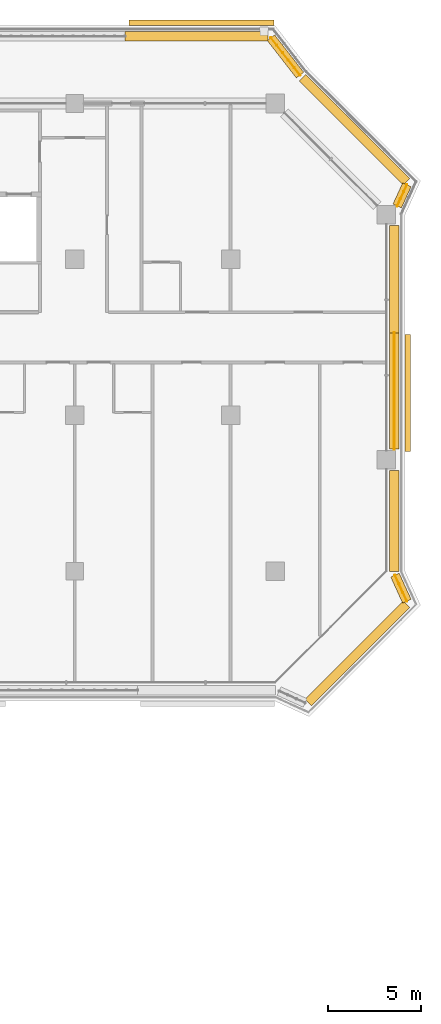
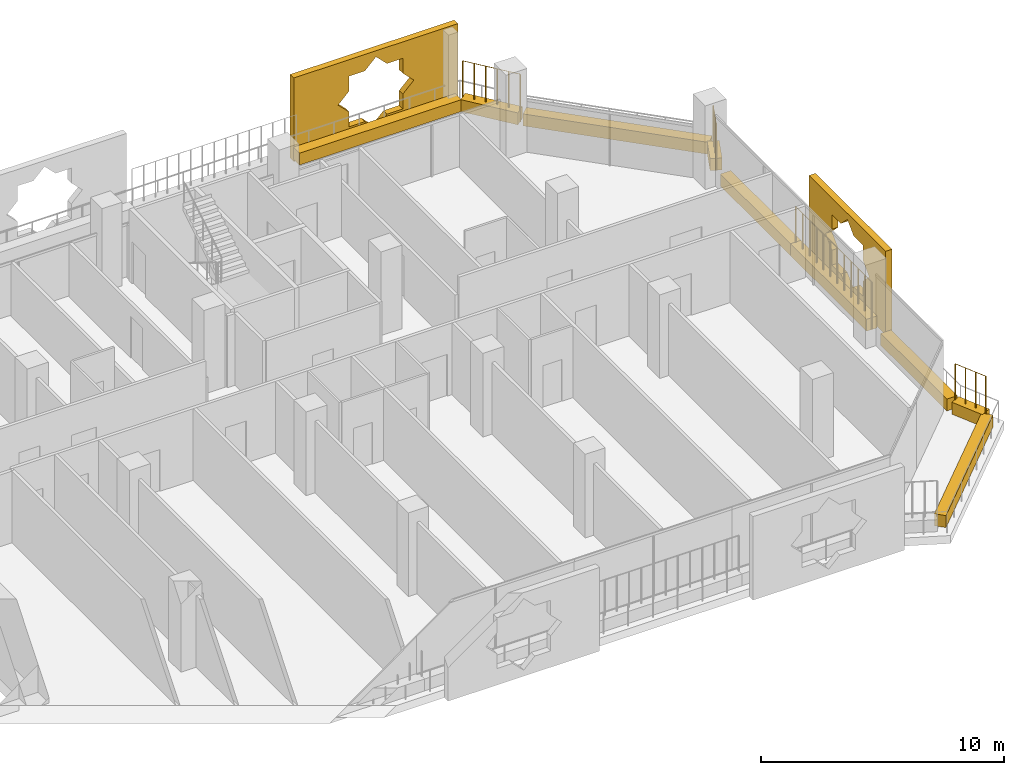
# One storey, part 22 of 22: 11 coverings, 4 railings.
"""IFC4 building model written with IfcOpenShell, lengths in metres."""

from ifc_helpers import new_model, si_unit, direction, frame, origin, origin_2d, place, context, subcontext, project, spatial, polyline, rectangle, circle, outline, extrude, material, material_profile, profile_set, type_object, element, save


model = new_model("IFC4")

# Units and contexts
model_context = context("Model", 3, precision=1e-05, world=origin(), true_north=direction((0.0, 1.0)))
body_context = subcontext(model_context, "Body", "Model", "MODEL_VIEW")
ifc_project = project(units=[si_unit("LENGTHUNIT", "METRE"), si_unit("AREAUNIT", "SQUARE_METRE"), si_unit("VOLUMEUNIT", "CUBIC_METRE"), si_unit("PLANEANGLEUNIT", "RADIAN"), si_unit("MASSUNIT", "GRAM", prefix="KILO")], contexts=[model_context])

# Site, building, storey
site_placement = place(None, origin())
site = spatial("IfcSite", under=ifc_project, at=site_placement, CompositionType="ELEMENT")
building_placement = place(site_placement, origin())
building = spatial("IfcBuilding", under=site, at=building_placement, Name="Kawkab Arch Medical Tower", CompositionType="ELEMENT")
storey_placement = place(building_placement, frame((0.0, 0.0, 196.199951171875)))
storey = spatial("IfcBuildingStorey", under=building, at=storey_placement, Name="L45", CompositionType="ELEMENT", Elevation=196.199951171875)

# Coverings
ifc_material_1 = material(Name="Bronze anodised aluminium mashrabiya panel, eight-point star pattern", Category="aluminium")
ifc_material_profile_1 = material_profile(ifc_material_1, outline(polyline([(-3.14990234375, -2.10009765625), (3.14990234375, -2.10009765625), (3.14990234375, 2.10009765625), (-3.14990234375, 2.10009765625), (-3.14990234375, -2.10009765625)]), holes=[polyline([(1.800048828125, 0.0), (1.272705078125, 0.527099609375), (1.272705078125, 1.272705078125), (0.527099609375, 1.272705078125), (0.0, 1.800048828125), (-0.527099609375, 1.272705078125), (-1.272705078125, 1.272705078125), (-1.272705078125, 0.527099609375), (-1.800048828125, 0.0), (-1.272705078125, -0.527099609375), (-1.272705078125, -1.272705078125), (-0.527099609375, -1.272705078125), (0.0, -1.800048828125), (0.527099609375, -1.272705078125), (1.272705078125, -1.272705078125), (1.272705078125, -0.527099609375), (1.800048828125, 0.0)])]), Name="Mashrabiya panel 6300x4200")
ifc_profile_set_1 = profile_set([ifc_material_profile_1], Name="Bronze anodised aluminium mashrabiya panel, eight-point star pattern")
covering_type_1 = type_object("IfcCoveringType", Name="Mashrabiya panel 6300 x 4200", PredefinedType="USERDEFINED", material=ifc_profile_set_1)
covering_1_placement = place(storey_placement, frame((68.199951171875, -15.60009765625, 1.699951171875), z_axis=(1.0, 0.0, 0.0), x_axis=(0.0, 1.0, 0.0)))
element("IfcCovering", 1, at=covering_1_placement, inside=storey, type_object=covering_type_1, Name="Mashrabiya panel L45.LOG-01-01.9", ObjectType="SCREEN", PredefinedType="USERDEFINED", context=body_context, shape_type="SweptSolid", body=[
    extrude(outline(polyline([(-3.14990234375, -2.10009765625), (3.14990234375, -2.10009765625), (3.14990234375, 2.10009765625), (-3.14990234375, 2.10009765625), (-3.14990234375, -2.10009765625)]), holes=[polyline([(1.800048828125, 0.0), (1.272705078125, 0.527099609375), (1.272705078125, 1.272705078125), (0.527099609375, 1.272705078125), (0.0, 1.800048828125), (-0.527099609375, 1.272705078125), (-1.272705078125, 1.272705078125), (-1.272705078125, 0.527099609375), (-1.800048828125, 0.0), (-1.272705078125, -0.527099609375), (-1.272705078125, -1.272705078125), (-0.527099609375, -1.272705078125), (0.0, -1.800048828125), (0.527099609375, -1.272705078125), (1.272705078125, -1.272705078125), (1.272705078125, -0.527099609375), (1.800048828125, 0.0)])]), origin(), (0.0, 0.0, 1.0), 0.300048828125),
])
ifc_material_2 = material(Name="Bronze anodised aluminium mashrabiya panel, eight-point star pattern", Category="aluminium")
ifc_material_profile_2 = material_profile(ifc_material_2, outline(polyline([(-3.89990234375, -2.10009765625), (3.89990234375, -2.10009765625), (3.89990234375, 2.10009765625), (-3.89990234375, 2.10009765625), (-3.89990234375, -2.10009765625)]), holes=[polyline([(1.800048828125, 0.0), (1.272705078125, 0.527099609375), (1.272705078125, 1.272705078125), (0.527099609375, 1.272705078125), (0.0, 1.800048828125), (-0.527099609375, 1.272705078125), (-1.272705078125, 1.272705078125), (-1.272705078125, 0.527099609375), (-1.800048828125, 0.0), (-1.272705078125, -0.527099609375), (-1.272705078125, -1.272705078125), (-0.527099609375, -1.272705078125), (0.0, -1.800048828125), (0.527099609375, -1.272705078125), (1.272705078125, -1.272705078125), (1.272705078125, -0.527099609375), (1.800048828125, 0.0)])]), Name="Mashrabiya panel 7800x4200")
ifc_profile_set_2 = profile_set([ifc_material_profile_2], Name="Bronze anodised aluminium mashrabiya panel, eight-point star pattern")
covering_type_2 = type_object("IfcCoveringType", Name="Mashrabiya panel 7800 x 4200", PredefinedType="USERDEFINED", material=ifc_profile_set_2)
covering_2_placement = place(storey_placement, frame((57.23291015625, 4.199951171875, 1.699951171875), z_axis=(0.0, 1.0, 0.0), x_axis=(-1.0, 0.0, 0.0)))
element("IfcCovering", 2, at=covering_2_placement, inside=storey, type_object=covering_type_2, Name="Mashrabiya panel L45.LOG-01-01.8", ObjectType="SCREEN", PredefinedType="USERDEFINED", context=body_context, shape_type="SweptSolid", body=[
    extrude(outline(polyline([(-3.89990234375, -2.10009765625), (3.89990234375, -2.10009765625), (3.89990234375, 2.10009765625), (-3.89990234375, 2.10009765625), (-3.89990234375, -2.10009765625)]), holes=[polyline([(1.800048828125, 0.0), (1.272705078125, 0.527099609375), (1.272705078125, 1.272705078125), (0.527099609375, 1.272705078125), (0.0, 1.800048828125), (-0.527099609375, 1.272705078125), (-1.272705078125, 1.272705078125), (-1.272705078125, 0.527099609375), (-1.800048828125, 0.0), (-1.272705078125, -0.527099609375), (-1.272705078125, -1.272705078125), (-0.527099609375, -1.272705078125), (0.0, -1.800048828125), (0.527099609375, -1.272705078125), (1.272705078125, -1.272705078125), (1.272705078125, -0.527099609375), (1.800048828125, 0.0)])]), origin(), (0.0, 0.0, 1.0), 0.300048828125),
])
ifc_material_3 = material(Name="Planting soil in a precast trough", Category="concrete")
ifc_material_profile_3 = material_profile(ifc_material_3, rectangle(XDim=0.5, YDim=0.60009765625, at=origin_2d()), Name="Trough 500x600")
ifc_profile_set_3 = profile_set([ifc_material_profile_3], Name="Planting soil in a precast trough")
covering_type_3 = type_object("IfcCoveringType", Name="Planter trough 500 x 600", PredefinedType="USERDEFINED", material=ifc_profile_set_3)
covering_3_placement = place(storey_placement, frame((53.112060546875, 3.6201171875, 0.300048828125), z_axis=(1.0, 0.0, 0.0), x_axis=(0.0, 1.0, 0.0)))
element("IfcCovering", 3, at=covering_3_placement, inside=storey, type_object=covering_type_3, Name="Planter L45.LOG-01-01.24", ObjectType="PLANTER", PredefinedType="USERDEFINED", context=body_context, shape_type="SweptSolid", body=[
    extrude(rectangle(XDim=0.5, YDim=0.60009765625, at=origin_2d()), origin(), (0.0, 0.0, 1.0), 7.703857421875),
])
covering_4_placement = place(storey_placement, frame((60.97802734375, 3.541015625, 0.300048828125), z_axis=(0.61404021143, -0.789274742246, 0.0), x_axis=(0.789274742246, 0.61404021143, 0.0)))
element("IfcCovering", 4, at=covering_4_placement, inside=storey, type_object=covering_type_3, Name="Planter L45.LOG-01-01.25", ObjectType="PLANTER", PredefinedType="USERDEFINED", context=body_context, shape_type="SweptSolid", body=[
    extrude(rectangle(XDim=0.5, YDim=0.60009765625, at=origin_2d()), origin(), (0.0, 0.0, 1.0), 2.54541015625),
])
covering_5_placement = place(storey_placement, frame((62.673095703125, 1.383056640625, 0.300048828125), z_axis=(0.707091367247, -0.70712219479, 0.0), x_axis=(0.70712219479, 0.707091367247, 0.0)))
element("IfcCovering", 5, at=covering_5_placement, inside=storey, type_object=covering_type_3, Name="Planter L45.LOG-01-01.26", ObjectType="PLANTER", PredefinedType="USERDEFINED", context=body_context, shape_type="SweptSolid", body=[
    extrude(rectangle(XDim=0.5, YDim=0.60009765625, at=origin_2d()), origin(), (0.0, 0.0, 1.0), 7.919677734375),
])
covering_6_placement = place(storey_placement, frame((68.302001953125, -4.37890625, 0.300048828125), z_axis=(-0.415089762627, -0.909780461959, 0.0), x_axis=(0.909780461959, -0.415089762627, 0.0)))
element("IfcCovering", 6, at=covering_6_placement, inside=storey, type_object=covering_type_3, Name="Planter L45.LOG-01-01.27", ObjectType="PLANTER", PredefinedType="USERDEFINED", context=body_context, shape_type="SweptSolid", body=[
    extrude(rectangle(XDim=0.5, YDim=0.60009765625, at=origin_2d()), origin(), (0.0, 0.0, 1.0), 1.257568359375),
])
covering_7_placement = place(storey_placement, frame((67.6201171875, -6.580078125, 0.300048828125), z_axis=(0.0, -1.0, 0.0), x_axis=(1.0, 0.0, 0.0)))
element("IfcCovering", 7, at=covering_7_placement, inside=storey, type_object=covering_type_3, Name="Planter L45.LOG-01-01.28", ObjectType="PLANTER", PredefinedType="USERDEFINED", context=body_context, shape_type="SweptSolid", body=[
    extrude(rectangle(XDim=0.5, YDim=0.60009765625, at=origin_2d()), origin(), (0.0, 0.0, 1.0), 5.77783203125),
])
covering_8_placement = place(storey_placement, frame((67.6201171875, -12.35791015625, 0.300048828125), z_axis=(0.0, -1.0, 0.0), x_axis=(1.0, 0.0, 0.0)))
element("IfcCovering", 8, at=covering_8_placement, inside=storey, type_object=covering_type_3, Name="Planter L45.LOG-01-01.29", ObjectType="PLANTER", PredefinedType="USERDEFINED", context=body_context, shape_type="SweptSolid", body=[
    extrude(rectangle(XDim=0.5, YDim=0.60009765625, at=origin_2d()), origin(), (0.0, 0.0, 1.0), 6.26220703125),
])
covering_9_placement = place(storey_placement, frame((67.6201171875, -19.780029296875, 0.300048828125), z_axis=(0.0, -1.0, 0.0), x_axis=(1.0, 0.0, 0.0)))
element("IfcCovering", 9, at=covering_9_placement, inside=storey, type_object=covering_type_3, Name="Planter L45.LOG-01-01.30", ObjectType="PLANTER", PredefinedType="USERDEFINED", context=body_context, shape_type="SweptSolid", body=[
    extrude(rectangle(XDim=0.5, YDim=0.60009765625, at=origin_2d()), origin(), (0.0, 0.0, 1.0), 5.446044921875),
])
covering_10_placement = place(storey_placement, frame((67.660888671875, -25.4169921875, 0.300048828125), z_axis=(0.415363486165, -0.909655525109, 0.0), x_axis=(0.909655525109, 0.415363486165, 0.0)))
element("IfcCovering", 10, at=covering_10_placement, inside=storey, type_object=covering_type_3, Name="Planter L45.LOG-01-01.31", ObjectType="PLANTER", PredefinedType="USERDEFINED", context=body_context, shape_type="SweptSolid", body=[
    extrude(rectangle(XDim=0.5, YDim=0.60009765625, at=origin_2d()), origin(), (0.0, 0.0, 1.0), 1.54345703125),
])
covering_11_placement = place(storey_placement, frame((68.27294921875, -26.98291015625, 0.300048828125), z_axis=(-0.707106781187, -0.707106781187, 0.0), x_axis=(0.707106781187, -0.707106781187, 0.0)))
element("IfcCovering", 11, at=covering_11_placement, inside=storey, type_object=covering_type_3, Name="Planter L45.LOG-01-01.32", ObjectType="PLANTER", PredefinedType="USERDEFINED", context=body_context, shape_type="SweptSolid", body=[
    extrude(rectangle(XDim=0.5, YDim=0.60009765625, at=origin_2d()), origin(), (0.0, 0.0, 1.0), 7.481201171875),
])

# Railings
ifc_material_4 = material(Name="Bronze anodised aluminium trellis for climbing plants", Category="aluminium")
railing_type = type_object("IfcRailingType", Name="Planting trellis 2400", PredefinedType="USERDEFINED", material=ifc_material_4)
railing_1_placement = place(storey_placement, frame((60.97802734375, 3.541015625, 0.0)))
element("IfcRailing", 12, at=railing_1_placement, inside=storey, type_object=railing_type, Name="Planting trellis L45.LOG-01-01.25", ObjectType="TRELLIS", PredefinedType="USERDEFINED", context=body_context, shape_type="SweptSolid", body=[
    extrude(circle(Radius=0.01513671875, at=origin_2d()), frame((0.0, 0.0, 2.384765625), z_axis=(0.61404021143, -0.789274742246, 0.0), x_axis=(0.789274742246, 0.61404021143, 0.0)), (0.0, 0.0, 1.0), 2.54541015625),
    extrude(circle(Radius=0.030029296875, at=origin_2d()), origin(), (0.0, 0.0, 1.0), 2.369873046875),
    extrude(circle(Radius=0.030029296875, at=origin_2d()), frame((0.3125, -0.40185546875, 0.0)), (0.0, 0.0, 1.0), 2.369873046875),
    extrude(circle(Radius=0.030029296875, at=origin_2d()), frame((0.625244140625, -0.8037109375, 0.0)), (0.0, 0.0, 1.0), 2.369873046875),
    extrude(circle(Radius=0.030029296875, at=origin_2d()), frame((0.937744140625, -1.205322265625, 0.0)), (0.0, 0.0, 1.0), 2.369873046875),
    extrude(circle(Radius=0.030029296875, at=origin_2d()), frame((1.25048828125, -1.607177734375, 0.0)), (0.0, 0.0, 1.0), 2.369873046875),
    extrude(circle(Radius=0.030029296875, at=origin_2d()), frame((1.56298828125, -2.009033203125, 0.0)), (0.0, 0.0, 1.0), 2.369873046875),
])
railing_2_placement = place(storey_placement, frame((68.302001953125, -4.37890625, 0.0)))
element("IfcRailing", 13, at=railing_2_placement, inside=storey, type_object=railing_type, Name="Planting trellis L45.LOG-01-01.27", ObjectType="TRELLIS", PredefinedType="USERDEFINED", context=body_context, shape_type="SweptSolid", body=[
    extrude(circle(Radius=0.01513671875, at=origin_2d()), frame((0.0, 0.0, 2.384765625), z_axis=(-0.415089762627, -0.909780461959, 0.0), x_axis=(0.909780461959, -0.415089762627, 0.0)), (0.0, 0.0, 1.0), 1.257568359375),
    extrude(circle(Radius=0.030029296875, at=origin_2d()), origin(), (0.0, 0.0, 1.0), 2.369873046875),
    extrude(circle(Radius=0.030029296875, at=origin_2d()), frame((-0.174072265625, -0.38134765625, 0.0)), (0.0, 0.0, 1.0), 2.369873046875),
    extrude(circle(Radius=0.030029296875, at=origin_2d()), frame((-0.347900390625, -0.7626953125, 0.0)), (0.0, 0.0, 1.0), 2.369873046875),
    extrude(circle(Radius=0.030029296875, at=origin_2d()), frame((-0.52197265625, -1.14404296875, 0.0)), (0.0, 0.0, 1.0), 2.369873046875),
])
railing_3_placement = place(storey_placement, frame((67.6201171875, -12.35791015625, 0.0)))
element("IfcRailing", 14, at=railing_3_placement, inside=storey, type_object=railing_type, Name="Planting trellis L45.LOG-01-01.29", ObjectType="TRELLIS", PredefinedType="USERDEFINED", context=body_context, shape_type="SweptSolid", body=[
    extrude(circle(Radius=0.01513671875, at=origin_2d()), frame((0.0, 0.0, 2.384765625), z_axis=(0.0, -1.0, 0.0), x_axis=(1.0, 0.0, 0.0)), (0.0, 0.0, 1.0), 6.26220703125),
    extrude(circle(Radius=0.030029296875, at=origin_2d()), origin(), (0.0, 0.0, 1.0), 2.369873046875),
    extrude(circle(Radius=0.030029296875, at=origin_2d()), frame((0.0, -0.5693359375, 0.0)), (0.0, 0.0, 1.0), 2.369873046875),
    extrude(circle(Radius=0.030029296875, at=origin_2d()), frame((0.0, -1.138671875, 0.0)), (0.0, 0.0, 1.0), 2.369873046875),
    extrude(circle(Radius=0.030029296875, at=origin_2d()), frame((0.0, -1.707763671875, 0.0)), (0.0, 0.0, 1.0), 2.369873046875),
    extrude(circle(Radius=0.030029296875, at=origin_2d()), frame((0.0, -2.277099609375, 0.0)), (0.0, 0.0, 1.0), 2.369873046875),
    extrude(circle(Radius=0.030029296875, at=origin_2d()), frame((0.0, -2.846435546875, 0.0)), (0.0, 0.0, 1.0), 2.369873046875),
    extrude(circle(Radius=0.030029296875, at=origin_2d()), frame((0.0, -3.415771484375, 0.0)), (0.0, 0.0, 1.0), 2.369873046875),
    extrude(circle(Radius=0.030029296875, at=origin_2d()), frame((0.0, -3.985107421875, 0.0)), (0.0, 0.0, 1.0), 2.369873046875),
    extrude(circle(Radius=0.030029296875, at=origin_2d()), frame((0.0, -4.554443359375, 0.0)), (0.0, 0.0, 1.0), 2.369873046875),
    extrude(circle(Radius=0.030029296875, at=origin_2d()), frame((0.0, -5.12353515625, 0.0)), (0.0, 0.0, 1.0), 2.369873046875),
    extrude(circle(Radius=0.030029296875, at=origin_2d()), frame((0.0, -5.69287109375, 0.0)), (0.0, 0.0, 1.0), 2.369873046875),
    extrude(circle(Radius=0.030029296875, at=origin_2d()), frame((0.0, -6.26220703125, 0.0)), (0.0, 0.0, 1.0), 2.369873046875),
])
railing_4_placement = place(storey_placement, frame((67.660888671875, -25.4169921875, 0.0)))
element("IfcRailing", 15, at=railing_4_placement, inside=storey, type_object=railing_type, Name="Planting trellis L45.LOG-01-01.31", ObjectType="TRELLIS", PredefinedType="USERDEFINED", context=body_context, shape_type="SweptSolid", body=[
    extrude(circle(Radius=0.01513671875, at=origin_2d()), frame((0.0, 0.0, 2.384765625), z_axis=(0.415363486165, -0.909655525109, 0.0), x_axis=(0.909655525109, 0.415363486165, 0.0)), (0.0, 0.0, 1.0), 1.54345703125),
    extrude(circle(Radius=0.030029296875, at=origin_2d()), origin(), (0.0, 0.0, 1.0), 2.369873046875),
    extrude(circle(Radius=0.030029296875, at=origin_2d()), frame((0.213623046875, -0.468017578125, 0.0)), (0.0, 0.0, 1.0), 2.369873046875),
    extrude(circle(Radius=0.030029296875, at=origin_2d()), frame((0.427490234375, -0.93603515625, 0.0)), (0.0, 0.0, 1.0), 2.369873046875),
    extrude(circle(Radius=0.030029296875, at=origin_2d()), frame((0.64111328125, -1.404052734375, 0.0)), (0.0, 0.0, 1.0), 2.369873046875),
])

save(model, "model.ifc")
